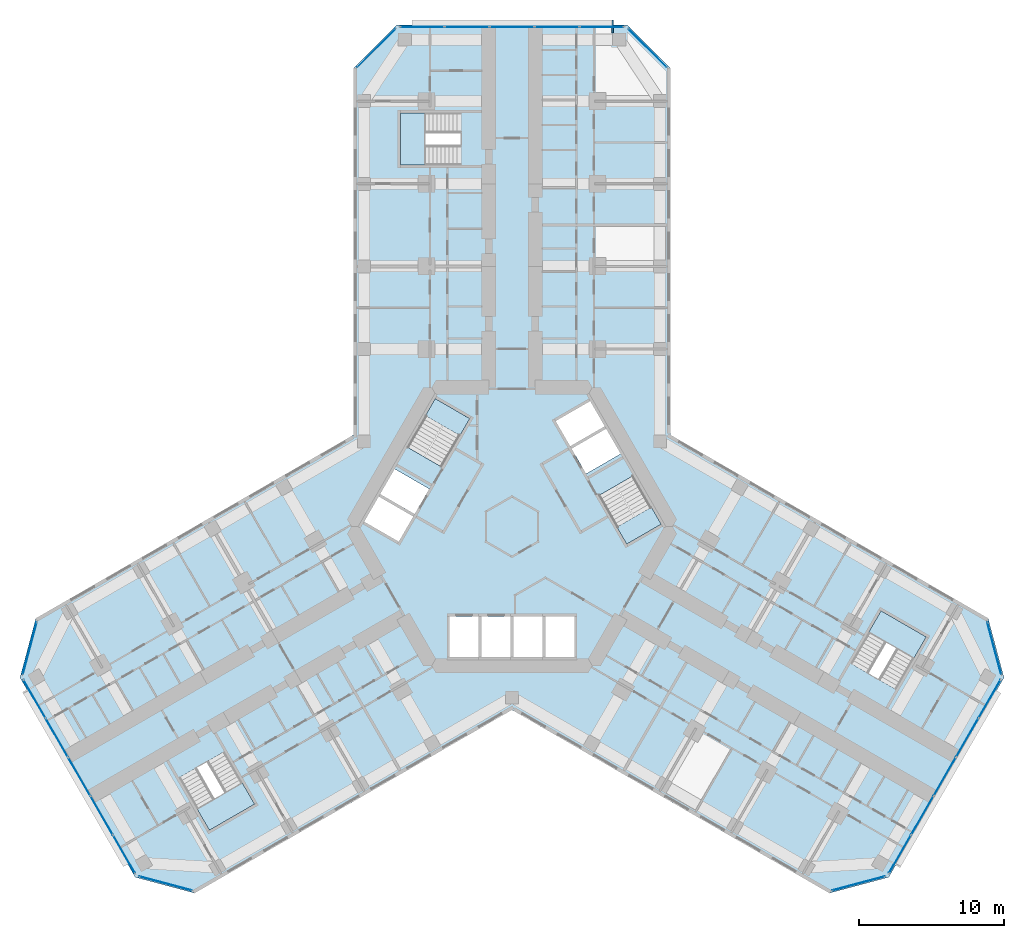
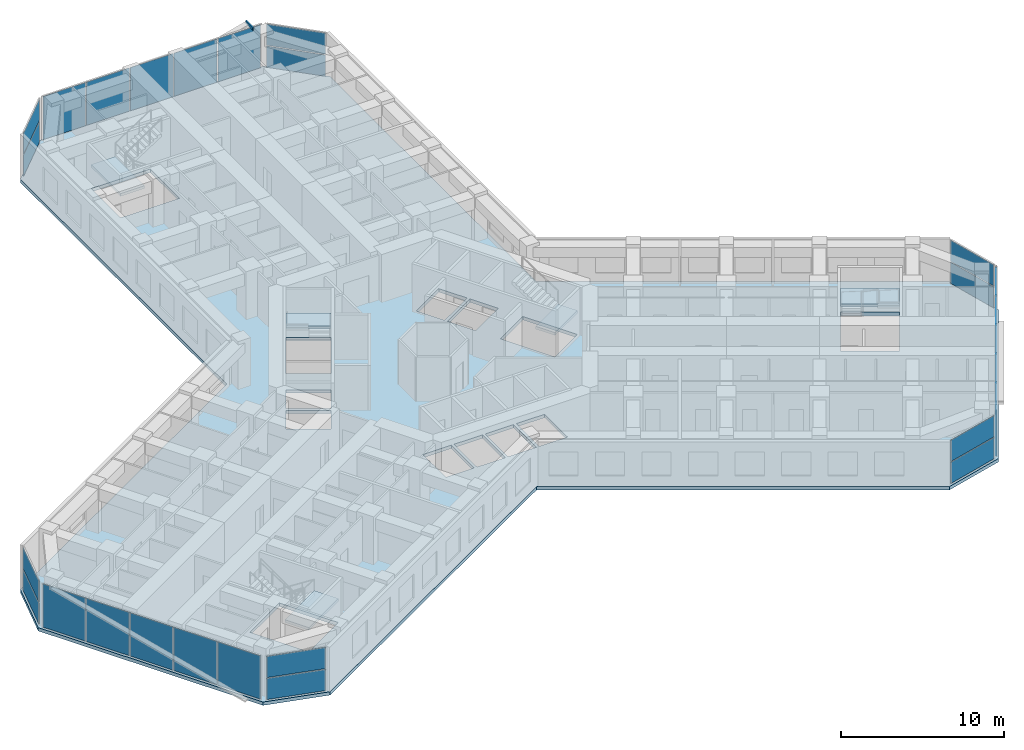
# One storey, part 9 of 21: 27 plates, 6 slabs, 1 member, 14 elements without a shape of their own.
"""IFC4 building model written with IfcOpenShell, lengths in metres."""

import ifcopenshell
import ifcopenshell.guid

model = None  # the IFC model being written
_history = None  # IfcOwnerHistory: only IFC2X3 demands one
_inside = {}  # id of a spatial element -> (the spatial element, [elements in it])
_under = {}  # id of a project, library or spatial element -> (it, [spatial elements below it])
_declared = {}  # id of a project -> (the project, [libraries it declares])
_typed = {}  # id of a type object -> (the type object, [elements of that type])
_made_of = {}  # id of a material, layer set ... -> (it, [elements and type objects made of it])


def new_model(schema):
    """Start an empty IFC model of exactly this schema.

    Asked for "IFC4X3", IfcOpenShell would pick the latest addendum, in which some entities
    have other attributes; the version numbers below select the first issue.
    IFC2X3 requires an IfcOwnerHistory on every rooted entity: one is made here for all.
    """
    global model, _history
    if schema == "IFC4X3":
        model = ifcopenshell.file(schema_version=(4, 3, 0, 0))
    else:
        model = ifcopenshell.file(schema=schema)
    _inside.clear()
    _under.clear()
    _declared.clear()
    _typed.clear()
    _made_of.clear()
    _history = None
    if model.schema == "IFC2X3":
        org = make("IfcOrganization", Name="unknown")
        user = make(
            "IfcPersonAndOrganization",
            ThePerson=make("IfcPerson", FamilyName="unknown"),
            TheOrganization=org,
        )
        app = make(
            "IfcApplication",
            ApplicationDeveloper=org,
            Version="unknown",
            ApplicationFullName="unknown",
            ApplicationIdentifier="unknown",
        )
        _history = make(
            "IfcOwnerHistory",
            OwningUser=user,
            OwningApplication=app,
            ChangeAction="ADDED",
            CreationDate=0,
        )
    return model


def make(cls, **values):
    """One entity of the class cls with the attributes given. An attribute that is None is left unset."""
    return model.create_entity(
        cls, **{name: value for name, value in values.items() if value is not None}
    )


def rooted(cls, **values):
    """An entity with a GlobalId (a new one), such as an element, a storey or a relation."""
    return make(cls, GlobalId=ifcopenshell.guid.new(), OwnerHistory=_history, **values)


def si_unit(unit_type, name, prefix=None):
    """IfcSIUnit, for example si_unit("LENGTHUNIT", "METRE", prefix="MILLI")."""
    return make("IfcSIUnit", UnitType=unit_type, Prefix=prefix, Name=name)


def assignment(units):
    """IfcUnitAssignment: the units of a project."""
    return None if units is None else make("IfcUnitAssignment", Units=units)


def point(xyz):
    """IfcCartesianPoint."""
    return None if xyz is None else make("IfcCartesianPoint", Coordinates=xyz)


def direction(xyz):
    """IfcDirection."""
    return None if xyz is None else make("IfcDirection", DirectionRatios=xyz)


def frame(location, z_axis=None, x_axis=None):
    """IfcAxis2Placement3D, a coordinate frame: its origin and axes. An axis left out is left unset."""
    return make(
        "IfcAxis2Placement3D",
        Location=point(location),
        Axis=direction(z_axis),
        RefDirection=direction(x_axis),
    )


def frame_2d(location, x_axis=None):
    """IfcAxis2Placement2D, a coordinate frame in the plane: its origin and x axis."""
    return make(
        "IfcAxis2Placement2D", Location=point(location), RefDirection=direction(x_axis)
    )


def origin():
    """The frame at (0, 0, 0) with its axes left unset."""
    return frame((0.0, 0.0, 0.0))


def origin_2d():
    """The frame at (0, 0) in the plane with its x axis left unset."""
    return frame_2d((0.0, 0.0))


def place(relative_to, where):
    """IfcLocalPlacement: puts the frame where relative to a parent placement (None: the world)."""
    return make(
        "IfcLocalPlacement", PlacementRelTo=relative_to, RelativePlacement=where
    )


def context(
    kind, dimensions, precision=None, world=None, true_north=None, identifier=None
):
    """IfcGeometricRepresentationContext, for example the 3D "Model" context."""
    return make(
        "IfcGeometricRepresentationContext",
        ContextIdentifier=identifier,
        ContextType=kind,
        CoordinateSpaceDimension=dimensions,
        Precision=precision,
        WorldCoordinateSystem=world,
        TrueNorth=true_north,
    )


def subcontext(parent, identifier, kind, view, scale=None):
    """IfcGeometricRepresentationSubContext, for example "Body" below "Model"."""
    return make(
        "IfcGeometricRepresentationSubContext",
        ContextIdentifier=identifier,
        ContextType=kind,
        ParentContext=parent,
        TargetScale=scale,
        TargetView=view,
    )


def project(units=None, contexts=None):
    """IfcProject with its units and contexts."""
    return rooted(
        "IfcProject",
        Name="project",
        RepresentationContexts=contexts,
        UnitsInContext=assignment(units),
    )


def spatial(cls, under=None, at=None, **own):
    """A site, building, storey or space (cls), placed at a placement, below another one or the project."""
    s = rooted(cls, ObjectPlacement=at, **own)
    if under is not None:
        _under.setdefault(under.id(), (under, []))[1].append(s)
    return s


def polyline(points):
    """IfcPolyline through the points."""
    return make("IfcPolyline", Points=[point(p) for p in points])


def profile(cls, at=None, kind="AREA", **sizes):
    """A parametric profile (cls). Its sizes go by their IFC names, for example OverallWidth=200.0."""
    return make(cls, ProfileType=kind, Position=at, **sizes)


def rectangle(**sizes):
    """IfcRectangleProfileDef."""
    return profile("IfcRectangleProfileDef", **sizes)


def hollow_rectangle(**sizes):
    """IfcRectangleHollowProfileDef."""
    return profile("IfcRectangleHollowProfileDef", **sizes)


def outline(outer, holes=None, kind="AREA"):
    """IfcArbitraryClosedProfileDef: a profile drawn as a closed curve; with holes, ...WithVoids."""
    if holes is None:
        return make("IfcArbitraryClosedProfileDef", ProfileType=kind, OuterCurve=outer)
    return make(
        "IfcArbitraryProfileDefWithVoids",
        ProfileType=kind,
        OuterCurve=outer,
        InnerCurves=holes,
    )


def extrude(swept, where, along, depth):
    """IfcExtrudedAreaSolid: the profile swept, set in the frame where, extruded along a direction by depth."""
    return make(
        "IfcExtrudedAreaSolid",
        SweptArea=swept,
        Position=where,
        ExtrudedDirection=direction(along),
        Depth=depth,
    )


def shape(context_of_items, identifier, shape_type, items):
    """IfcShapeRepresentation: the items that make up one representation, for example the "Body"."""
    return make(
        "IfcShapeRepresentation",
        ContextOfItems=context_of_items,
        RepresentationIdentifier=identifier,
        RepresentationType=shape_type,
        Items=items,
    )


def material(Name=None, Category=None):
    """IfcMaterial."""
    return make("IfcMaterial", Name=Name, Category=Category)


def layer(
    of_material, thickness, ventilated=None, Name=None, Category=None, Priority=None
):
    """IfcMaterialLayer: one layer of a wall or slab, of a material (None: an air gap)."""
    return make(
        "IfcMaterialLayer",
        Material=of_material,
        LayerThickness=thickness,
        IsVentilated=ventilated,
        Name=Name,
        Category=Category,
        Priority=Priority,
    )


def layer_set(layers, Name=None):
    """IfcMaterialLayerSet."""
    return make("IfcMaterialLayerSet", MaterialLayers=layers, LayerSetName=Name)


def material_profile(
    of_material, cross_section, Name=None, Category=None, Priority=None
):
    """IfcMaterialProfile: a cross section and its material."""
    return make(
        "IfcMaterialProfile",
        Name=Name,
        Material=of_material,
        Profile=cross_section,
        Priority=Priority,
        Category=Category,
    )


def profile_set(profiles, Name=None, composite=None):
    """IfcMaterialProfileSet."""
    return make(
        "IfcMaterialProfileSet",
        Name=Name,
        MaterialProfiles=profiles,
        CompositeProfile=composite,
    )


def made_of(thing, what):
    """Note that an element or type object is made of a material, layer set ...; save() writes the relation."""
    if what is not None:
        _made_of.setdefault(what.id(), (what, []))[1].append(thing)
    return thing


def type_object(cls, material=None, **own):
    """A type object (cls), such as IfcWallType, which elements share."""
    return made_of(rooted(cls, **own), material)


def element(
    cls,
    number,
    at=None,
    inside=None,
    cuts=None,
    type_object=None,
    material=None,
    context=None,
    identifier="Body",
    shape_type=None,
    held_by="IfcProductDefinitionShape",
    body=None,
    shapes=None,
    **own,
):
    """One element of the class cls, such as IfcWall. Its Tag is "e" and its number.

    at: its placement. inside: the storey or other place that contains it. cuts: it is an
    opening in that element (IfcRelVoidsElement). A single representation is given by context,
    identifier, shape_type and body (its items); several are given by shapes. held_by: the class
    of the entity that holds the representations. save() writes the other relations.
    """
    e = rooted(cls, Tag="e%d" % number, ObjectPlacement=at, **own)
    if body is not None:
        shapes = [shape(context, identifier, shape_type, body)]
    if shapes is not None:
        e.Representation = make(held_by, Representations=shapes)
    if inside is not None:
        _inside.setdefault(inside.id(), (inside, []))[1].append(e)
    if cuts is not None:
        rooted(
            "IfcRelVoidsElement", RelatingBuildingElement=cuts, RelatedOpeningElement=e
        )
    if type_object is not None:
        _typed.setdefault(type_object.id(), (type_object, []))[1].append(e)
    return made_of(e, material)


def aggregate(whole, parts):
    """IfcRelAggregates: a whole, such as a stair, and the parts it consists of."""
    return rooted("IfcRelAggregates", RelatingObject=whole, RelatedObjects=parts)


def save(model, path):
    """Write the relations noted so far, then the file.

    IfcRelAggregates (storeys below a building ...), IfcRelContainedInSpatialStructure (elements
    in a storey), IfcRelDefinesByType, IfcRelAssociatesMaterial and IfcRelDeclares: one each for
    every whole, place, type object, material and project.
    """
    for whole, parts in _under.values():
        aggregate(whole, parts)
    for where, things in _inside.values():
        rooted(
            "IfcRelContainedInSpatialStructure",
            RelatedElements=things,
            RelatingStructure=where,
        )
    for kind, things in _typed.values():
        rooted("IfcRelDefinesByType", RelatedObjects=things, RelatingType=kind)
    for what, things in _made_of.values():
        rooted("IfcRelAssociatesMaterial", RelatedObjects=things, RelatingMaterial=what)
    for by, libraries in _declared.values():
        rooted("IfcRelDeclares", RelatingContext=by, RelatedDefinitions=libraries)
    model.write(path)


model = new_model("IFC4")

# Units and contexts
model_context = context("Model", 3, precision=1e-05, world=origin(), true_north=direction((0.0, 1.0)))
body_context = subcontext(model_context, "Body", "Model", "MODEL_VIEW")
ifc_project = project(units=[si_unit("LENGTHUNIT", "METRE"), si_unit("AREAUNIT", "SQUARE_METRE"), si_unit("VOLUMEUNIT", "CUBIC_METRE"), si_unit("PLANEANGLEUNIT", "RADIAN"), si_unit("MASSUNIT", "GRAM", prefix="KILO")], contexts=[model_context])

# Site, building, storey
site_placement = place(None, origin())
site = spatial("IfcSite", under=ifc_project, at=site_placement, CompositionType="ELEMENT")
building_placement = place(site_placement, origin())
building = spatial("IfcBuilding", under=site, at=building_placement, Name="Kosmar Iwan School Tower", CompositionType="ELEMENT")
storey_placement = place(building_placement, frame((0.0, 0.0, 80.800048828125)))
storey = spatial("IfcBuildingStorey", under=building, at=storey_placement, Name="L19", CompositionType="ELEMENT", Elevation=80.800048828125)

# Member
ifc_material_1 = material(Name="Steel S355", Category="steel")
ifc_material_profile = material_profile(ifc_material_1, hollow_rectangle(XDim=0.10009765625, YDim=0.199951171875, WallThickness=0.008056640625, at=origin_2d()), Name="RHS 200x100x8")
ifc_profile_set = profile_set([ifc_material_profile], Name="Steel S355")
member_type = type_object("IfcMemberType", Name="Fin bracket RHS 200x100", PredefinedType="USERDEFINED", material=ifc_profile_set)
member_placement = place(storey_placement, frame((6.949951171875, 34.050048828125, 3.474853515625), z_axis=(0.0, 1.0, 0.0), x_axis=(-1.0, 0.0, 0.0)))
element("IfcMember", 1, at=member_placement, inside=storey, type_object=member_type, Name="Fin bracket L20", ObjectType="FIN BRACKET", PredefinedType="USERDEFINED", context=body_context, shape_type="SweptSolid", body=[
    extrude(hollow_rectangle(XDim=0.10009765625, YDim=0.199951171875, WallThickness=0.008056640625, at=origin_2d()), origin(), (0.0, 0.0, 1.0), 0.89990234375),
])

# Curtain wall, plates
ifc_material_2 = material(Name="Dark glass in black aluminium frame", Category="aluminium")
curtain_wall_type_1 = type_object("IfcCurtainWallType", Name="Chamfer curtain wall dark glass", PredefinedType="USERDEFINED", material=ifc_material_2)
curtain_wall_1_placement = place(storey_placement, origin())
curtain_wall_1 = element("IfcCurtainWall", 2, at=curtain_wall_1_placement, inside=storey, type_object=curtain_wall_type_1, Name="Curtain wall L19-F02", ObjectType="FACETED CURTAIN WALL", PredefinedType="USERDEFINED")
ifc_material_3 = material(Name="Dark glass", Category="glass")
ifc_layer_1 = layer(ifc_material_3, 0.028076171875)
ifc_layer_set_1 = layer_set([ifc_layer_1], Name="Dark glass panel 28")
plate_type = type_object("IfcPlateType", Name="Dark glass panel 28", PredefinedType="CURTAIN_PANEL", material=ifc_layer_set_1)
plate_1_placement = place(storey_placement, frame((23.908203125, -24.61328125, 0.06005859375), z_axis=(0.0, 0.0, 1.0), x_axis=(0.965925875495, 0.258818861462, 0.0)))
plate_1 = element("IfcPlate", 3, at=plate_1_placement, type_object=plate_type, Name="CW2 panel 1.1", PredefinedType="CURTAIN_PANEL", context=body_context, shape_type="SweptSolid", body=[
    extrude(rectangle(XDim=3.718994140625, YDim=0.028076171875, at=origin_2d()), origin(), (0.0, 0.0, 1.0), 1.5849609375),
])
plate_2_placement = place(storey_placement, frame((23.908203125, -24.61328125, 1.705078125), z_axis=(0.0, 0.0, 1.0), x_axis=(0.965925875495, 0.258818861462, 0.0)))
plate_2 = element("IfcPlate", 4, at=plate_2_placement, type_object=plate_type, Name="CW2 panel 1.2", PredefinedType="CURTAIN_PANEL", context=body_context, shape_type="SweptSolid", body=[
    extrude(rectangle(XDim=3.718994140625, YDim=0.028076171875, at=origin_2d()), origin(), (0.0, 0.0, 1.0), 1.5849609375),
])
aggregate(curtain_wall_1, [plate_1, plate_2])

ifc_material_4 = material(Name="Dark glass in black aluminium frame", Category="aluminium")
curtain_wall_type_2 = type_object("IfcCurtainWallType", Name="Tower curtain wall dark glass", PredefinedType="USERDEFINED", material=ifc_material_4)
curtain_wall_2_placement = place(storey_placement, origin())
curtain_wall_2 = element("IfcCurtainWall", 5, at=curtain_wall_2_placement, inside=storey, type_object=curtain_wall_type_2, Name="Curtain wall L19-F03", ObjectType="UNITISED CURTAIN WALL", PredefinedType="USERDEFINED")
plate_3_placement = place(storey_placement, frame((26.764404296875, -22.592529296875, 0.06005859375), z_axis=(0.0, 0.0, 1.0), x_axis=(0.499999997325, 0.866025405329, 0.0)))
plate_3 = element("IfcPlate", 6, at=plate_3_placement, type_object=plate_type, Name="CW1 panel 1.1", PredefinedType="CURTAIN_PANEL", context=body_context, shape_type="SweptSolid", body=[
    extrude(rectangle(XDim=3.00927734375, YDim=0.028076171875, at=origin_2d()), origin(), (0.0, 0.0, 1.0), 3.22998046875),
])
plate_4_placement = place(storey_placement, frame((28.306640625, -19.921630859375, 0.06005859375), z_axis=(0.0, 0.0, 1.0), x_axis=(0.499999997325, 0.866025405329, 0.0)))
plate_4 = element("IfcPlate", 7, at=plate_4_placement, type_object=plate_type, Name="CW1 panel 2.1", PredefinedType="CURTAIN_PANEL", context=body_context, shape_type="SweptSolid", body=[
    extrude(rectangle(XDim=3.039306640625, YDim=0.028076171875, at=origin_2d()), origin(), (0.0, 0.0, 1.0), 3.22998046875),
])
plate_5_placement = place(storey_placement, frame((29.856201171875, -17.237548828125, 0.06005859375), z_axis=(0.0, 0.0, 1.0), x_axis=(0.499999997325, 0.866025405329, 0.0)))
plate_5 = element("IfcPlate", 8, at=plate_5_placement, type_object=plate_type, Name="CW1 panel 3.1", PredefinedType="CURTAIN_PANEL", context=body_context, shape_type="SweptSolid", body=[
    extrude(rectangle(XDim=3.039306640625, YDim=0.028076171875, at=origin_2d()), origin(), (0.0, 0.0, 1.0), 3.22998046875),
])
plate_6_placement = place(storey_placement, frame((31.40576171875, -14.553466796875, 0.06005859375), z_axis=(0.0, 0.0, 1.0), x_axis=(0.499999997325, 0.866025405329, 0.0)))
plate_6 = element("IfcPlate", 9, at=plate_6_placement, type_object=plate_type, Name="CW1 panel 4.1", PredefinedType="CURTAIN_PANEL", context=body_context, shape_type="SweptSolid", body=[
    extrude(rectangle(XDim=3.039306640625, YDim=0.028076171875, at=origin_2d()), origin(), (0.0, 0.0, 1.0), 3.22998046875),
])
plate_7_placement = place(storey_placement, frame((32.947998046875, -11.88232421875, 0.06005859375), z_axis=(0.0, 0.0, 1.0), x_axis=(0.499999997325, 0.866025405329, 0.0)))
plate_7 = element("IfcPlate", 10, at=plate_7_placement, type_object=plate_type, Name="CW1 panel 5.1", PredefinedType="CURTAIN_PANEL", context=body_context, shape_type="SweptSolid", body=[
    extrude(rectangle(XDim=3.00927734375, YDim=0.028076171875, at=origin_2d()), origin(), (0.0, 0.0, 1.0), 3.22998046875),
])
aggregate(curtain_wall_2, [plate_3, plate_4, plate_5, plate_6, plate_7])

curtain_wall_3_placement = place(storey_placement, origin())
curtain_wall_3 = element("IfcCurtainWall", 11, at=curtain_wall_3_placement, inside=storey, type_object=curtain_wall_type_1, Name="Curtain wall L19-F04", ObjectType="FACETED CURTAIN WALL", PredefinedType="USERDEFINED")
plate_8_placement = place(storey_placement, frame((33.269775390625, -8.3984375, 0.06005859375), z_axis=(0.0, 0.0, 1.0), x_axis=(-0.258818861462, 0.965925875495, 0.0)))
plate_8 = element("IfcPlate", 12, at=plate_8_placement, type_object=plate_type, Name="CW2 panel 1.1", PredefinedType="CURTAIN_PANEL", context=body_context, shape_type="SweptSolid", body=[
    extrude(rectangle(XDim=3.718994140625, YDim=0.028076171875, at=origin_2d()), origin(), (0.0, 0.0, 1.0), 1.5849609375),
])
plate_9_placement = place(storey_placement, frame((33.269775390625, -8.3984375, 1.705078125), z_axis=(0.0, 0.0, 1.0), x_axis=(-0.258818861462, 0.965925875495, 0.0)))
plate_9 = element("IfcPlate", 13, at=plate_9_placement, type_object=plate_type, Name="CW2 panel 1.2", PredefinedType="CURTAIN_PANEL", context=body_context, shape_type="SweptSolid", body=[
    extrude(rectangle(XDim=3.718994140625, YDim=0.028076171875, at=origin_2d()), origin(), (0.0, 0.0, 1.0), 1.5849609375),
])
aggregate(curtain_wall_3, [plate_8, plate_9])

curtain_wall_4_placement = place(storey_placement, origin())
curtain_wall_4 = element("IfcCurtainWall", 14, at=curtain_wall_4_placement, inside=storey, type_object=curtain_wall_type_1, Name="Curtain wall L19-F07", ObjectType="FACETED CURTAIN WALL", PredefinedType="USERDEFINED")
plate_10_placement = place(storey_placement, frame((9.361572265625, 33.01171875, 0.06005859375), z_axis=(0.0, 0.0, 1.0), x_axis=(-0.707106781187, 0.707106781187, 0.0)))
plate_10 = element("IfcPlate", 15, at=plate_10_placement, type_object=plate_type, Name="CW2 panel 1.1", PredefinedType="CURTAIN_PANEL", context=body_context, shape_type="SweptSolid", body=[
    extrude(rectangle(XDim=3.718994140625, YDim=0.028076171875, at=origin_2d()), origin(), (0.0, 0.0, 1.0), 1.5849609375),
])
plate_11_placement = place(storey_placement, frame((9.361572265625, 33.01171875, 1.705078125), z_axis=(0.0, 0.0, 1.0), x_axis=(-0.707106781187, 0.707106781187, 0.0)))
plate_11 = element("IfcPlate", 16, at=plate_11_placement, type_object=plate_type, Name="CW2 panel 1.2", PredefinedType="CURTAIN_PANEL", context=body_context, shape_type="SweptSolid", body=[
    extrude(rectangle(XDim=3.718994140625, YDim=0.028076171875, at=origin_2d()), origin(), (0.0, 0.0, 1.0), 1.5849609375),
])
aggregate(curtain_wall_4, [plate_10, plate_11])

curtain_wall_5_placement = place(storey_placement, origin())
curtain_wall_5 = element("IfcCurtainWall", 17, at=curtain_wall_5_placement, inside=storey, type_object=curtain_wall_type_2, Name="Curtain wall L19-F08", ObjectType="UNITISED CURTAIN WALL", PredefinedType="USERDEFINED")
plate_12_placement = place(storey_placement, frame((6.18359375, 34.47509765625, 0.06005859375), z_axis=(0.0, 0.0, 1.0), x_axis=(-1.0, 0.0, 0.0)))
plate_12 = element("IfcPlate", 18, at=plate_12_placement, type_object=plate_type, Name="CW1 panel 1.1", PredefinedType="CURTAIN_PANEL", context=body_context, shape_type="SweptSolid", body=[
    extrude(rectangle(XDim=3.00927734375, YDim=0.028076171875, at=origin_2d()), origin(), (0.0, 0.0, 1.0), 3.22998046875),
])
plate_13_placement = place(storey_placement, frame((3.099365234375, 34.47509765625, 0.06005859375), z_axis=(0.0, 0.0, 1.0), x_axis=(-1.0, 0.0, 0.0)))
plate_13 = element("IfcPlate", 19, at=plate_13_placement, type_object=plate_type, Name="CW1 panel 2.1", PredefinedType="CURTAIN_PANEL", context=body_context, shape_type="SweptSolid", body=[
    extrude(rectangle(XDim=3.039306640625, YDim=0.028076171875, at=origin_2d()), origin(), (0.0, 0.0, 1.0), 3.22998046875),
])
plate_14_placement = place(storey_placement, frame((0.0, 34.47509765625, 0.06005859375), z_axis=(0.0, 0.0, 1.0), x_axis=(-1.0, 0.0, 0.0)))
plate_14 = element("IfcPlate", 20, at=plate_14_placement, type_object=plate_type, Name="CW1 panel 3.1", PredefinedType="CURTAIN_PANEL", context=body_context, shape_type="SweptSolid", body=[
    extrude(rectangle(XDim=3.039306640625, YDim=0.028076171875, at=origin_2d()), origin(), (0.0, 0.0, 1.0), 3.22998046875),
])
plate_15_placement = place(storey_placement, frame((-3.099365234375, 34.47509765625, 0.06005859375), z_axis=(0.0, 0.0, 1.0), x_axis=(-1.0, 0.0, 0.0)))
plate_15 = element("IfcPlate", 21, at=plate_15_placement, type_object=plate_type, Name="CW1 panel 4.1", PredefinedType="CURTAIN_PANEL", context=body_context, shape_type="SweptSolid", body=[
    extrude(rectangle(XDim=3.039306640625, YDim=0.028076171875, at=origin_2d()), origin(), (0.0, 0.0, 1.0), 3.22998046875),
])
plate_16_placement = place(storey_placement, frame((-6.18359375, 34.47509765625, 0.06005859375), z_axis=(0.0, 0.0, 1.0), x_axis=(-1.0, 0.0, 0.0)))
plate_16 = element("IfcPlate", 22, at=plate_16_placement, type_object=plate_type, Name="CW1 panel 5.1", PredefinedType="CURTAIN_PANEL", context=body_context, shape_type="SweptSolid", body=[
    extrude(rectangle(XDim=3.00927734375, YDim=0.028076171875, at=origin_2d()), origin(), (0.0, 0.0, 1.0), 3.22998046875),
])
aggregate(curtain_wall_5, [plate_12, plate_13, plate_14, plate_15, plate_16])

curtain_wall_6_placement = place(storey_placement, origin())
curtain_wall_6 = element("IfcCurtainWall", 23, at=curtain_wall_6_placement, inside=storey, type_object=curtain_wall_type_1, Name="Curtain wall L19-F09", ObjectType="FACETED CURTAIN WALL", PredefinedType="USERDEFINED")
plate_17_placement = place(storey_placement, frame((-9.361572265625, 33.01171875, 0.06005859375), z_axis=(0.0, 0.0, 1.0), x_axis=(-0.707106781187, -0.707106781187, 0.0)))
plate_17 = element("IfcPlate", 24, at=plate_17_placement, type_object=plate_type, Name="CW2 panel 1.1", PredefinedType="CURTAIN_PANEL", context=body_context, shape_type="SweptSolid", body=[
    extrude(rectangle(XDim=3.718994140625, YDim=0.028076171875, at=origin_2d()), origin(), (0.0, 0.0, 1.0), 1.5849609375),
])
plate_18_placement = place(storey_placement, frame((-9.361572265625, 33.01171875, 1.705078125), z_axis=(0.0, 0.0, 1.0), x_axis=(-0.707106781187, -0.707106781187, 0.0)))
plate_18 = element("IfcPlate", 25, at=plate_18_placement, type_object=plate_type, Name="CW2 panel 1.2", PredefinedType="CURTAIN_PANEL", context=body_context, shape_type="SweptSolid", body=[
    extrude(rectangle(XDim=3.718994140625, YDim=0.028076171875, at=origin_2d()), origin(), (0.0, 0.0, 1.0), 1.5849609375),
])
aggregate(curtain_wall_6, [plate_17, plate_18])

curtain_wall_7_placement = place(storey_placement, origin())
curtain_wall_7 = element("IfcCurtainWall", 26, at=curtain_wall_7_placement, inside=storey, type_object=curtain_wall_type_1, Name="Curtain wall L19-F12", ObjectType="FACETED CURTAIN WALL", PredefinedType="USERDEFINED")
plate_19_placement = place(storey_placement, frame((-33.269775390625, -8.3984375, 0.06005859375), z_axis=(0.0, 0.0, 1.0), x_axis=(-0.258818861462, -0.965925875495, 0.0)))
plate_19 = element("IfcPlate", 27, at=plate_19_placement, type_object=plate_type, Name="CW2 panel 1.1", PredefinedType="CURTAIN_PANEL", context=body_context, shape_type="SweptSolid", body=[
    extrude(rectangle(XDim=3.718994140625, YDim=0.028076171875, at=origin_2d()), origin(), (0.0, 0.0, 1.0), 1.5849609375),
])
plate_20_placement = place(storey_placement, frame((-33.269775390625, -8.3984375, 1.705078125), z_axis=(0.0, 0.0, 1.0), x_axis=(-0.258818861462, -0.965925875495, 0.0)))
plate_20 = element("IfcPlate", 28, at=plate_20_placement, type_object=plate_type, Name="CW2 panel 1.2", PredefinedType="CURTAIN_PANEL", context=body_context, shape_type="SweptSolid", body=[
    extrude(rectangle(XDim=3.718994140625, YDim=0.028076171875, at=origin_2d()), origin(), (0.0, 0.0, 1.0), 1.5849609375),
])
aggregate(curtain_wall_7, [plate_19, plate_20])

curtain_wall_8_placement = place(storey_placement, origin())
curtain_wall_8 = element("IfcCurtainWall", 29, at=curtain_wall_8_placement, inside=storey, type_object=curtain_wall_type_2, Name="Curtain wall L19-F13", ObjectType="UNITISED CURTAIN WALL", PredefinedType="USERDEFINED")
plate_21_placement = place(storey_placement, frame((-32.947998046875, -11.88232421875, 0.06005859375), z_axis=(0.0, 0.0, 1.0), x_axis=(0.499999997325, -0.866025405329, 0.0)))
plate_21 = element("IfcPlate", 30, at=plate_21_placement, type_object=plate_type, Name="CW1 panel 1.1", PredefinedType="CURTAIN_PANEL", context=body_context, shape_type="SweptSolid", body=[
    extrude(rectangle(XDim=3.00927734375, YDim=0.028076171875, at=origin_2d()), origin(), (0.0, 0.0, 1.0), 3.22998046875),
])
plate_22_placement = place(storey_placement, frame((-31.40576171875, -14.553466796875, 0.06005859375), z_axis=(0.0, 0.0, 1.0), x_axis=(0.499999997325, -0.866025405329, 0.0)))
plate_22 = element("IfcPlate", 31, at=plate_22_placement, type_object=plate_type, Name="CW1 panel 2.1", PredefinedType="CURTAIN_PANEL", context=body_context, shape_type="SweptSolid", body=[
    extrude(rectangle(XDim=3.039306640625, YDim=0.028076171875, at=origin_2d()), origin(), (0.0, 0.0, 1.0), 3.22998046875),
])
plate_23_placement = place(storey_placement, frame((-29.856201171875, -17.237548828125, 0.06005859375), z_axis=(0.0, 0.0, 1.0), x_axis=(0.499999997325, -0.866025405329, 0.0)))
plate_23 = element("IfcPlate", 32, at=plate_23_placement, type_object=plate_type, Name="CW1 panel 3.1", PredefinedType="CURTAIN_PANEL", context=body_context, shape_type="SweptSolid", body=[
    extrude(rectangle(XDim=3.039306640625, YDim=0.028076171875, at=origin_2d()), origin(), (0.0, 0.0, 1.0), 3.22998046875),
])
plate_24_placement = place(storey_placement, frame((-28.306640625, -19.921630859375, 0.06005859375), z_axis=(0.0, 0.0, 1.0), x_axis=(0.499999997325, -0.866025405329, 0.0)))
plate_24 = element("IfcPlate", 33, at=plate_24_placement, type_object=plate_type, Name="CW1 panel 4.1", PredefinedType="CURTAIN_PANEL", context=body_context, shape_type="SweptSolid", body=[
    extrude(rectangle(XDim=3.039306640625, YDim=0.028076171875, at=origin_2d()), origin(), (0.0, 0.0, 1.0), 3.22998046875),
])
plate_25_placement = place(storey_placement, frame((-26.764404296875, -22.592529296875, 0.06005859375), z_axis=(0.0, 0.0, 1.0), x_axis=(0.499999997325, -0.866025405329, 0.0)))
plate_25 = element("IfcPlate", 34, at=plate_25_placement, type_object=plate_type, Name="CW1 panel 5.1", PredefinedType="CURTAIN_PANEL", context=body_context, shape_type="SweptSolid", body=[
    extrude(rectangle(XDim=3.00927734375, YDim=0.028076171875, at=origin_2d()), origin(), (0.0, 0.0, 1.0), 3.22998046875),
])
aggregate(curtain_wall_8, [plate_21, plate_22, plate_23, plate_24, plate_25])

curtain_wall_9_placement = place(storey_placement, origin())
curtain_wall_9 = element("IfcCurtainWall", 35, at=curtain_wall_9_placement, inside=storey, type_object=curtain_wall_type_1, Name="Curtain wall L19-F14", ObjectType="FACETED CURTAIN WALL", PredefinedType="USERDEFINED")
plate_26_placement = place(storey_placement, frame((-23.908203125, -24.61328125, 0.06005859375), z_axis=(0.0, 0.0, 1.0), x_axis=(0.965925875495, -0.258818861462, 0.0)))
plate_26 = element("IfcPlate", 36, at=plate_26_placement, type_object=plate_type, Name="CW2 panel 1.1", PredefinedType="CURTAIN_PANEL", context=body_context, shape_type="SweptSolid", body=[
    extrude(rectangle(XDim=3.718994140625, YDim=0.028076171875, at=origin_2d()), origin(), (0.0, 0.0, 1.0), 1.5849609375),
])
plate_27_placement = place(storey_placement, frame((-23.908203125, -24.61328125, 1.705078125), z_axis=(0.0, 0.0, 1.0), x_axis=(0.965925875495, -0.258818861462, 0.0)))
plate_27 = element("IfcPlate", 37, at=plate_27_placement, type_object=plate_type, Name="CW2 panel 1.2", PredefinedType="CURTAIN_PANEL", context=body_context, shape_type="SweptSolid", body=[
    extrude(rectangle(XDim=3.718994140625, YDim=0.028076171875, at=origin_2d()), origin(), (0.0, 0.0, 1.0), 1.5849609375),
])
aggregate(curtain_wall_9, [plate_26, plate_27])

# Stair, slab
ifc_material_5 = material(Name="Concrete C35/45", Category="concrete")
stair_type_1 = type_object("IfcStairType", Name="Escape stair 3600", PredefinedType="HALF_TURN_STAIR", material=ifc_material_5)
stair_1_placement = place(storey_placement, origin())
stair_1 = element("IfcStair", 38, at=stair_1_placement, inside=storey, type_object=stair_type_1, Name="Stair WS1 L19", PredefinedType="HALF_TURN_STAIR")
ifc_material_6 = material(Name="Concrete C35/45", Category="concrete")
ifc_layer_2 = layer(ifc_material_6, 0.199951171875)
ifc_layer_set_2 = layer_set([ifc_layer_2], Name="Escape stair landing 200")
slab_type_1 = type_object("IfcSlabType", Name="Escape stair landing 200", PredefinedType="LANDING", material=ifc_layer_set_2)
slab_1_placement = place(storey_placement, frame((0.0, 0.0, 1.599853515625)))
slab_1 = element("IfcSlab", 39, at=slab_1_placement, type_object=slab_type_1, Name="WS1 landing 1", PredefinedType="LANDING", context=body_context, shape_type="SweptSolid", body=[
    extrude(outline(polyline([(-6.0, 24.949951171875), (-6.0, 28.550048828125), (-7.699951171875, 28.550048828125), (-7.699951171875, 24.949951171875), (-6.0, 24.949951171875)])), origin(), (0.0, 0.0, 1.0), 0.2001953125),
])
aggregate(stair_1, [slab_1])

stair_2_placement = place(storey_placement, origin())
stair_2 = element("IfcStair", 40, at=stair_2_placement, inside=storey, type_object=stair_type_1, Name="Stair WS2 L19", PredefinedType="HALF_TURN_STAIR")
slab_2_placement = place(storey_placement, frame((0.0, 0.0, 1.599853515625)))
slab_2 = element("IfcSlab", 41, at=slab_2_placement, type_object=slab_type_1, Name="WS2 landing 1", PredefinedType="LANDING", context=body_context, shape_type="SweptSolid", body=[
    extrude(outline(polyline([(-18.607421875, -17.671142578125), (-21.72509765625, -19.47119140625), (-20.875, -20.943359375), (-17.75732421875, -19.143310546875), (-18.607421875, -17.671142578125)])), origin(), (0.0, 0.0, 1.0), 0.2001953125),
])
aggregate(stair_2, [slab_2])

stair_3_placement = place(storey_placement, origin())
stair_3 = element("IfcStair", 42, at=stair_3_placement, inside=storey, type_object=stair_type_1, Name="Stair WS3 L19", PredefinedType="HALF_TURN_STAIR")
slab_3_placement = place(storey_placement, frame((0.0, 0.0, 1.599853515625)))
slab_3 = element("IfcSlab", 43, at=slab_3_placement, type_object=slab_type_1, Name="WS3 landing 1", PredefinedType="LANDING", context=body_context, shape_type="SweptSolid", body=[
    extrude(outline(polyline([(24.607421875, -7.27880859375), (27.72509765625, -9.078857421875), (28.574951171875, -7.606689453125), (25.457275390625, -5.806640625), (24.607421875, -7.27880859375)])), origin(), (0.0, 0.0, 1.0), 0.2001953125),
])
aggregate(stair_3, [slab_3])

# Slab
ifc_material_7 = material(Name="Concrete C35/45", Category="concrete")
ifc_layer_3 = layer(ifc_material_7, 0.25)
ifc_layer_set_3 = layer_set([ifc_layer_3], Name="Floor slab 250")
slab_type_2 = type_object("IfcSlabType", Name="Floor slab 250", PredefinedType="FLOOR", material=ifc_layer_set_3)
slab_4_placement = place(storey_placement, frame((0.0, 0.0, -0.25)))
element("IfcSlab", 44, at=slab_4_placement, inside=storey, type_object=slab_type_2, Name="L19 floor slab", PredefinedType="FLOOR", context=body_context, shape_type="SweptSolid", body=[
    extrude(outline(polyline([(-21.891357421875, -25.282958984375), (0.0, -12.64404296875), (21.891357421875, -25.282958984375), (25.989501953125, -24.184814453125), (33.939453125, -10.4150390625), (32.84130859375, -6.317138671875), (10.949951171875, 6.322021484375), (10.949951171875, 31.60009765625), (7.949951171875, 34.60009765625), (-7.949951171875, 34.60009765625), (-10.949951171875, 31.60009765625), (-10.949951171875, 6.322021484375), (-32.84130859375, -6.317138671875), (-33.939453125, -10.4150390625), (-25.989501953125, -24.184814453125), (-21.891357421875, -25.282958984375)]), holes=[polyline([(7.91259765625, -1.205078125), (10.294189453125, 0.169921875), (8.3642578125, 3.5126953125), (5.982666015625, 2.1376953125), (7.91259765625, -1.205078125)]), polyline([(-2.91259765625, 7.455078125), (-5.294189453125, 8.830078125), (-7.22412109375, 5.4873046875), (-4.8427734375, 4.1123046875), (-2.91259765625, 7.455078125)]), polyline([(-5.712646484375, 2.60546875), (-8.09423828125, 3.98046875), (-9.09423828125, 2.248291015625), (-6.712646484375, 0.873291015625), (-5.712646484375, 2.60546875)]), polyline([(-6.812744140625, 0.7001953125), (-9.1943359375, 2.0751953125), (-10.1943359375, 0.343017578125), (-7.812744140625, -1.031982421875), (-6.812744140625, 0.7001953125)]), polyline([(5.112548828125, 3.64453125), (7.494140625, 5.01953125), (6.494140625, 6.751708984375), (4.112548828125, 5.376708984375), (5.112548828125, 3.64453125)]), polyline([(4.0126953125, 5.5498046875), (6.394287109375, 6.9248046875), (5.394287109375, 8.656982421875), (3.0126953125, 7.281982421875), (4.0126953125, 5.5498046875)]), polyline([(-4.300048828125, -6.199951171875), (-4.300048828125, -9.0), (-2.300048828125, -9.0), (-2.300048828125, -6.199951171875), (-4.300048828125, -6.199951171875)]), polyline([(-2.10009765625, -6.199951171875), (-2.10009765625, -9.0), (-0.10009765625, -9.0), (-0.10009765625, -6.199951171875), (-2.10009765625, -6.199951171875)]), polyline([(0.10009765625, -6.199951171875), (0.10009765625, -9.0), (2.10009765625, -9.0), (2.10009765625, -6.199951171875), (0.10009765625, -6.199951171875)]), polyline([(2.300048828125, -6.199951171875), (2.300048828125, -9.0), (4.300048828125, -9.0), (4.300048828125, -6.199951171875), (2.300048828125, -6.199951171875)]), polyline([(-3.52001953125, 24.949951171875), (-3.52001953125, 28.550048828125), (-7.699951171875, 28.550048828125), (-7.699951171875, 24.949951171875), (-3.52001953125, 24.949951171875)]), polyline([(-19.847412109375, -15.5234375), (-22.965087890625, -17.323486328125), (-20.875, -20.943359375), (-17.75732421875, -19.143310546875), (-19.847412109375, -15.5234375)]), polyline([(23.367431640625, -9.426513671875), (26.485107421875, -11.2265625), (28.574951171875, -7.606689453125), (25.457275390625, -5.806640625), (23.367431640625, -9.426513671875)])]), origin(), (0.0, 0.0, 1.0), 0.25),
])

# Stair, slab
ifc_material_8 = material(Name="Concrete C35/45", Category="concrete")
stair_type_2 = type_object("IfcStairType", Name="Core stair 2750", PredefinedType="HALF_TURN_STAIR", material=ifc_material_8)
stair_4_placement = place(storey_placement, origin())
stair_4 = element("IfcStair", 45, at=stair_4_placement, inside=storey, type_object=stair_type_2, Name="Stair ST2 L19", PredefinedType="HALF_TURN_STAIR")
ifc_material_9 = material(Name="Concrete C35/45", Category="concrete")
ifc_layer_4 = layer(ifc_material_9, 0.199951171875)
ifc_layer_set_4 = layer_set([ifc_layer_4], Name="Stair landing 200")
slab_type_3 = type_object("IfcSlabType", Name="Stair landing 200", PredefinedType="LANDING", material=ifc_layer_set_4)
slab_5_placement = place(storey_placement, frame((0.0, 0.0, 1.599853515625)))
slab_5 = element("IfcSlab", 46, at=slab_5_placement, type_object=slab_type_3, Name="ST2 landing 1", PredefinedType="LANDING", context=body_context, shape_type="SweptSolid", body=[
    extrude(outline(polyline([(-2.91259765625, 7.455078125), (-5.294189453125, 8.830078125), (-5.97412109375, 7.65234375), (-3.5927734375, 6.27734375), (-2.91259765625, 7.455078125)])), origin(), (0.0, 0.0, 1.0), 0.2001953125),
])
aggregate(stair_4, [slab_5])

stair_5_placement = place(storey_placement, origin())
stair_5 = element("IfcStair", 47, at=stair_5_placement, inside=storey, type_object=stair_type_2, Name="Stair ST1 L19", PredefinedType="HALF_TURN_STAIR")
slab_6_placement = place(storey_placement, frame((0.0, 0.0, 1.599853515625)))
slab_6 = element("IfcSlab", 48, at=slab_6_placement, type_object=slab_type_3, Name="ST1 landing 1", PredefinedType="LANDING", context=body_context, shape_type="SweptSolid", body=[
    extrude(outline(polyline([(7.91259765625, -1.205078125), (10.294189453125, 0.169921875), (9.6142578125, 1.34765625), (7.232666015625, -0.02734375), (7.91259765625, -1.205078125)])), origin(), (0.0, 0.0, 1.0), 0.2001953125),
])
aggregate(stair_5, [slab_6])

save(model, "model.ifc")
